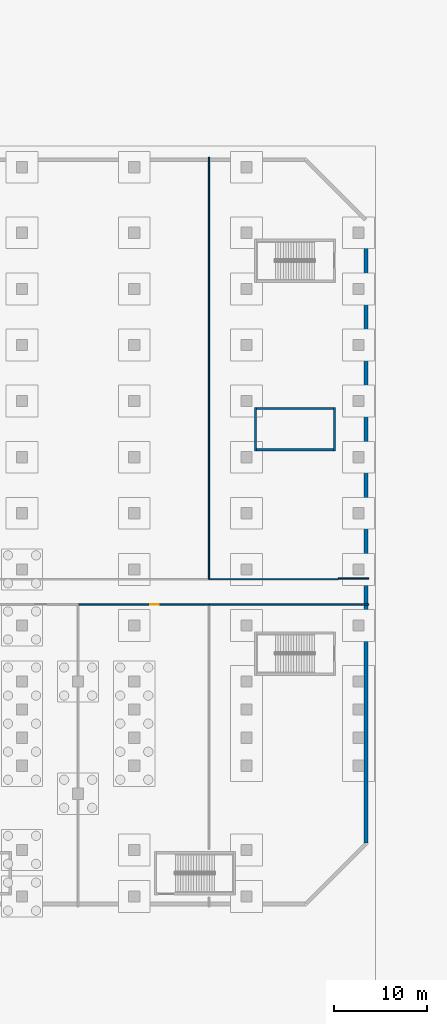
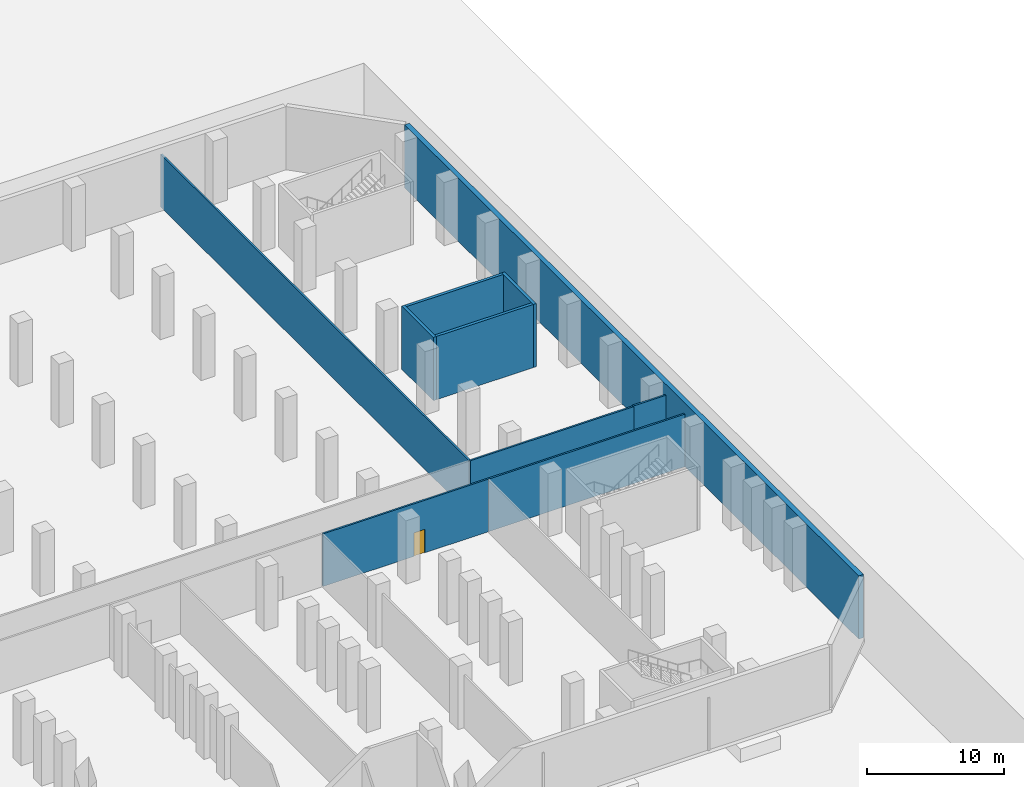
# One storey, part 10 of 16: 10 walls, 1 door, 1 opening.
"""IFC4 building model written with IfcOpenShell, lengths in metres."""

from ifc_helpers import new_model, si_unit, direction, frame, frame_2d, origin, place, context, subcontext, project, spatial, rectangle, extrude, material, layer, layer_set, type_object, element, fill, save


model = new_model("IFC4")

# Units and contexts
model_context = context("Model", 3, precision=1e-05, world=origin(), true_north=direction((0.0, 1.0)))
body_context = subcontext(model_context, "Body", "Model", "MODEL_VIEW")
ifc_project = project(units=[si_unit("LENGTHUNIT", "METRE"), si_unit("AREAUNIT", "SQUARE_METRE"), si_unit("VOLUMEUNIT", "CUBIC_METRE"), si_unit("PLANEANGLEUNIT", "RADIAN"), si_unit("MASSUNIT", "GRAM", prefix="KILO")], contexts=[model_context])

# Site, building, storey
site_placement = place(None, origin())
site = spatial("IfcSite", under=ifc_project, at=site_placement, CompositionType="ELEMENT")
building_placement = place(site_placement, origin())
building = spatial("IfcBuilding", under=site, at=building_placement, Name="Welwitschia Terrace Campus", CompositionType="ELEMENT")
storey_placement = place(building_placement, frame((0.0, 0.0, -6.0)))
storey = spatial("IfcBuildingStorey", under=building, at=storey_placement, Name="B1", CompositionType="ELEMENT", Elevation=-6.0)

# Walls
ifc_material_1 = material(Name="Concrete C50/60", Category="concrete")
ifc_layer_1 = layer(ifc_material_1, 0.25)
ifc_layer_set_1 = layer_set([ifc_layer_1], Name="Concrete C50/60")
wall_type_1 = type_object("IfcWallType", Name="Core wall 250 Concrete C50/60", PredefinedType="SHEAR", material=ifc_layer_set_1)
for number, where, z_axis, x_axis, name in (
    (1, (84.97509765625, 38.675048828125, 0.0), (0.0, 0.0, 1.0), (0.0, 1.0, 0.0), "Core wall"),
    (2, (93.425048828125, 43.324951171875, 0.0), (0.0, 0.0, 1.0), (0.0, -1.0, 0.0), "Core wall"),
):
    element("IfcWall", number, at=place(storey_placement, frame(where, z_axis=z_axis, x_axis=x_axis)), inside=storey, type_object=wall_type_1, Name=name, PredefinedType="SHEAR", context=body_context, shape_type="SweptSolid", body=[
        extrude(rectangle(XDim=4.64990234375, YDim=0.25, at=frame_2d((2.324951171875, 0.0))), origin(), (0.0, 0.0, 1.0), 5.64990234375),
    ])
for number, where, z_axis, x_axis, name in (
    (3, (85.10009765625, 38.800048828125, 0.0), (0.0, 0.0, 1.0), (1.0, 0.0, 0.0), "Core wall"),
    (4, (85.10009765625, 43.199951171875, 0.0), (0.0, 0.0, 1.0), (1.0, 0.0, 0.0), "Core wall"),
):
    element("IfcWall", number, at=place(storey_placement, frame(where, z_axis=z_axis, x_axis=x_axis)), inside=storey, type_object=wall_type_1, Name=name, PredefinedType="SHEAR", context=body_context, shape_type="SweptSolid", body=[
        extrude(rectangle(XDim=8.199951171875, YDim=0.25, at=frame_2d((4.10009765625, 0.0))), origin(), (0.0, 0.0, 1.0), 5.64990234375),
    ])

# Wall, opening, door
ifc_material_2 = material(Name="Gypsum board on steel studs", Category="steel")
ifc_layer_2 = layer(ifc_material_2, 0.14990234375)
ifc_layer_set_2 = layer_set([ifc_layer_2], Name="Gypsum board on steel studs")
wall_type_2 = type_object("IfcWallType", Name="Corridor partition 150 EI 30", PredefinedType="PARTITIONING", material=ifc_layer_set_2)
wall_1_placement = place(storey_placement, frame((80.0, 22.25, 0.0), z_axis=(0.0, 0.0, 1.0), x_axis=(-1.0, 0.0, 0.0)))
wall_1 = element("IfcWall", 5, at=wall_1_placement, inside=storey, type_object=wall_type_2, Name="Partition", PredefinedType="PARTITIONING", context=body_context, shape_type="SweptSolid", body=[
    extrude(rectangle(XDim=14.0, YDim=0.14990234375, at=frame_2d((7.0, 0.0))), origin(), (0.0, 0.0, 1.0), 4.699951171875),
])
opening_placement = place(wall_1_placement, frame((5.39990234375, 0.0, 0.0)))
opening = element("IfcOpeningElement", 6, at=opening_placement, cuts=wall_1, Name="Opening DI09", PredefinedType="OPENING", context=body_context, shape_type="SweptSolid", body=[
    extrude(rectangle(XDim=0.89990234375, YDim=2.10009765625, at=frame_2d((0.449951171875, 1.050048828125))), frame((0.0, 0.0849609375, 0.0), z_axis=(0.0, -1.0, 0.0), x_axis=(1.0, 0.0, 0.0)), (0.0, 0.0, 1.0), 0.169921875),
])
ifc_material_3 = material(Name="Timber veneered door", Category="wood")
door_type = type_object("IfcDoorType", Name="Interior door DI09", OperationType="NOTDEFINED", PredefinedType="DOOR", material=ifc_material_3)
door_placement = place(opening_placement, origin())
door = element("IfcDoor", 7, at=door_placement, inside=storey, type_object=door_type, Name="Door B1 015", OperationType="SINGLE_SWING_RIGHT", OverallHeight=2.10009765625, OverallWidth=0.89990234375, PredefinedType="DOOR", context=body_context, shape_type="SweptSolid", body=[
    extrude(rectangle(XDim=0.89990234375, YDim=2.10009765625, at=frame_2d((0.449951171875, 1.050048828125))), frame((0.0, 0.02490234375, 0.0), z_axis=(0.0, -1.0, 0.0), x_axis=(1.0, 0.0, 0.0)), (0.0, 0.0, 1.0), 0.050048828125),
])
fill(opening, door)

# Walls
wall_2_placement = place(storey_placement, frame((80.0, 22.25, 0.0), z_axis=(0.0, 0.0, 1.0), x_axis=(1.0, 0.0, 0.0)))
element("IfcWall", 8, at=wall_2_placement, inside=storey, type_object=wall_type_2, Name="Partition", PredefinedType="PARTITIONING", context=body_context, shape_type="SweptSolid", body=[
    extrude(rectangle(XDim=17.090087890625, YDim=0.14990234375, at=frame_2d((8.544921875, 0.0))), origin(), (0.0, 0.0, 1.0), 4.699951171875),
])
wall_3_placement = place(storey_placement, frame((80.0, 24.949951171875, 0.0), z_axis=(0.0, 0.0, 1.0), x_axis=(0.0, 1.0, 0.0)))
element("IfcWall", 9, at=wall_3_placement, inside=storey, type_object=wall_type_2, Name="Partition", PredefinedType="PARTITIONING", context=body_context, shape_type="SweptSolid", body=[
    extrude(rectangle(XDim=45.14013671875, YDim=0.14990234375, at=frame_2d((22.570068359375, 0.0))), origin(), (0.0, 0.0, 1.0), 4.699951171875),
])
wall_4_placement = place(storey_placement, frame((80.0, 24.949951171875, 0.0), z_axis=(0.0, 0.0, 1.0), x_axis=(1.0, 0.0, 0.0)))
element("IfcWall", 10, at=wall_4_placement, inside=storey, type_object=wall_type_2, Name="Partition", PredefinedType="PARTITIONING", context=body_context, shape_type="SweptSolid", body=[
    extrude(rectangle(XDim=13.840087890625, YDim=0.14990234375, at=frame_2d((6.919921875, 0.0))), origin(), (0.0, 0.0, 1.0), 4.699951171875),
])
wall_5_placement = place(storey_placement, frame((93.81005859375, 25.030029296875, 0.0), z_axis=(0.0, 0.0, 1.0), x_axis=(1.0, 0.0, 0.0)))
element("IfcWall", 11, at=wall_5_placement, inside=storey, type_object=wall_type_2, Name="Partition", PredefinedType="PARTITIONING", context=body_context, shape_type="SweptSolid", body=[
    extrude(rectangle(XDim=3.27197265625, YDim=0.14990234375, at=frame_2d((1.635986328125, 0.0))), origin(), (0.0, 0.0, 1.0), 4.699951171875),
])
ifc_material_4 = material(Name="Concrete C40/50", Category="concrete")
ifc_layer_3 = layer(ifc_material_4, 0.39990234375)
ifc_layer_set_3 = layer_set([ifc_layer_3], Name="Concrete C40/50")
wall_type_3 = type_object("IfcWallType", Name="Retaining wall 400", PredefinedType="SOLIDWALL", material=ifc_layer_set_3)
wall_6_placement = place(storey_placement, frame((96.800048828125, -3.24853515625, 0.0), z_axis=(0.0, 0.0, 1.0), x_axis=(0.0, 1.0, 0.0)))
element("IfcWall", 12, at=wall_6_placement, inside=storey, type_object=wall_type_3, Name="Basement retaining wall 3", PredefinedType="SOLIDWALL", context=body_context, shape_type="SweptSolid", body=[
    extrude(rectangle(XDim=66.4970703125, YDim=0.39990234375, at=frame_2d((33.24853515625, 0.0))), origin(), (0.0, 0.0, 1.0), 5.64990234375),
])

save(model, "model.ifc")
